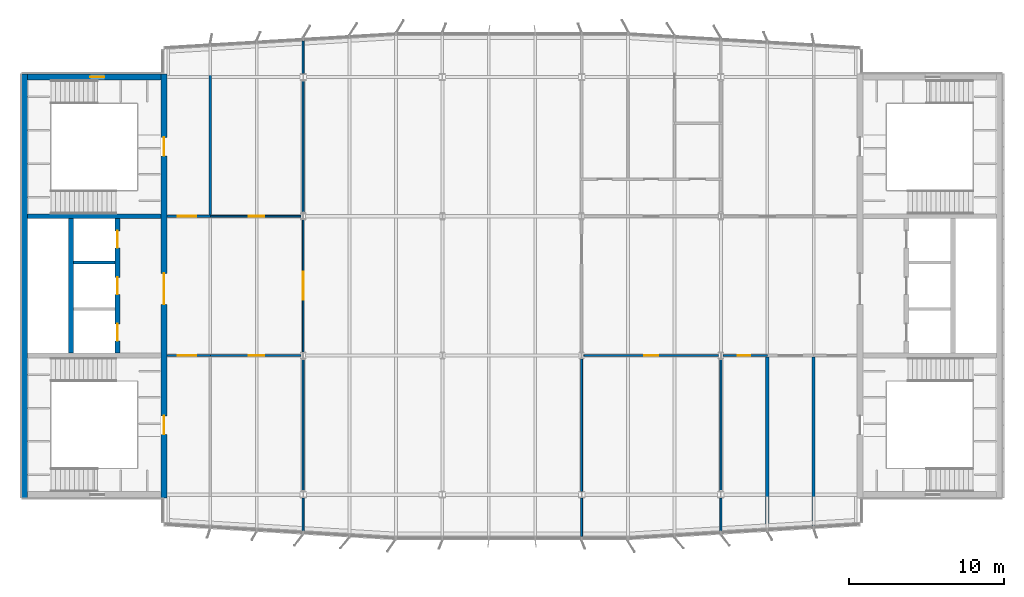
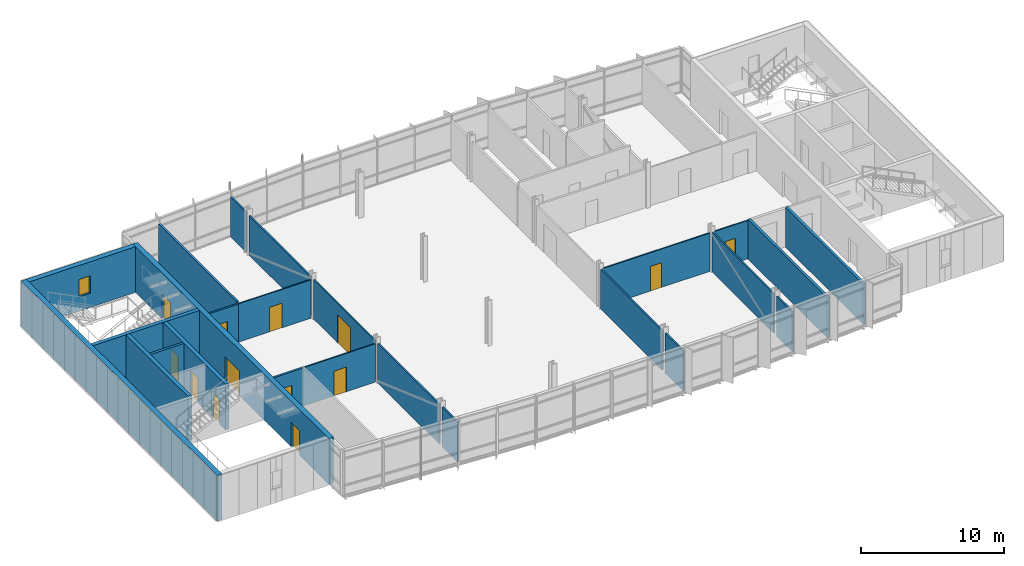
# One storey, part 12 of 18: 25 walls, 13 doors, 1 window, 14 openings.
"""IFC4 building model written with IfcOpenShell, lengths in metres."""

from ifc_helpers import new_model, si_unit, direction, frame, frame_2d, origin, place, context, subcontext, project, spatial, rectangle, extrude, material, layer, layer_set, type_object, element, fill, save


model = new_model("IFC4")

# Units and contexts
model_context = context("Model", 3, precision=1e-05, world=origin(), true_north=direction((0.0, 1.0)))
body_context = subcontext(model_context, "Body", "Model", "MODEL_VIEW")
ifc_project = project(units=[si_unit("LENGTHUNIT", "METRE"), si_unit("AREAUNIT", "SQUARE_METRE"), si_unit("VOLUMEUNIT", "CUBIC_METRE"), si_unit("PLANEANGLEUNIT", "RADIAN"), si_unit("MASSUNIT", "GRAM", prefix="KILO")], contexts=[model_context])

# Site, building, storey
site_placement = place(None, origin())
site = spatial("IfcSite", under=ifc_project, at=site_placement, CompositionType="ELEMENT")
building_placement = place(site_placement, origin())
building = spatial("IfcBuilding", under=site, at=building_placement, Name="Azimuth Sports and Learning Centre", CompositionType="ELEMENT")
storey_placement = place(building_placement, frame((0.0, 0.0, 59.699951171875)))
storey = spatial("IfcBuildingStorey", under=building, at=storey_placement, Name="L13", CompositionType="ELEMENT", Elevation=59.699951171875)

# Wall
ifc_material_1 = material(Name="Dense masonry blockwork", Category="masonry")
ifc_layer_1 = layer(ifc_material_1, 0.199951171875)
ifc_layer_set_1 = layer_set([ifc_layer_1], Name="Dense masonry blockwork")
wall_type_1 = type_object("IfcWallType", Name="Blockwork wall 200 EI 120", PredefinedType="SOLIDWALL", material=ifc_layer_set_1)
wall_1_placement = place(storey_placement, frame((57.14990234375, 105.0, 0.0), z_axis=(0.0, 0.0, 1.0), x_axis=(1.0, 0.0, 0.0)))
element("IfcWall", 1, at=wall_1_placement, inside=storey, type_object=wall_type_1, Name="SD-W-2-L13", PredefinedType="SOLIDWALL", context=body_context, shape_type="SweptSolid", body=[
    extrude(rectangle(XDim=2.7001953125, YDim=0.199951171875, at=frame_2d((1.35009765625, 0.0))), origin(), (0.0, 0.0, 1.0), 3.900146484375),
])

# Wall, opening, door
ifc_material_2 = material(Name="Gypsum board on steel studs", Category="steel")
ifc_layer_2 = layer(ifc_material_2, 0.10009765625)
ifc_layer_set_2 = layer_set([ifc_layer_2], Name="Gypsum board on steel studs")
wall_type_2 = type_object("IfcWallType", Name="Partition 100 EI 30", PredefinedType="PARTITIONING", material=ifc_layer_set_2)
wall_2_placement = place(storey_placement, frame((66.0, 99.0, 0.0), z_axis=(0.0, 0.0, 1.0), x_axis=(1.0, 0.0, 0.0)))
wall_2 = element("IfcWall", 2, at=wall_2_placement, inside=storey, type_object=wall_type_2, Name="Partition Classroom 13.07 / Learning Street West", PredefinedType="PARTITIONING", context=body_context, shape_type="SweptSolid", body=[
    extrude(rectangle(XDim=5.846435546875, YDim=0.10009765625, at=frame_2d((2.92333984375, 0.0))), origin(), (0.0, 0.0, 1.0), 3.27001953125),
])
opening_1_placement = place(wall_2_placement, frame((2.5, 0.0, 0.0)))
opening_1 = element("IfcOpeningElement", 3, at=opening_1_placement, cuts=wall_2, Name="Opening D13-015", PredefinedType="OPENING", context=body_context, shape_type="SweptSolid", body=[
    extrude(rectangle(XDim=1.0, YDim=2.10009765625, at=frame_2d((0.5, 1.050048828125))), frame((0.0, 0.06103515625, 0.0), z_axis=(0.0, -1.0, 0.0), x_axis=(1.0, 0.0, 0.0)), (0.0, 0.0, 1.0), 0.1220703125),
])
ifc_material_3 = material(Name="Painted steel door set", Category="steel")
door_type_1 = type_object("IfcDoorType", Name="Fire door FD30S 1000 x 2100", OperationType="NOTDEFINED", PredefinedType="DOOR", material=ifc_material_3)
door_1_placement = place(opening_1_placement, frame((1.0, 0.0, 0.0), z_axis=(0.0, 0.0, 1.0), x_axis=(-1.0, 0.0, 0.0)))
door_1 = element("IfcDoor", 4, at=door_1_placement, inside=storey, type_object=door_type_1, Name="Door Classroom 13.07 / Learning Street West", OperationType="SINGLE_SWING_LEFT", OverallHeight=2.10009765625, OverallWidth=1.0, PredefinedType="DOOR", context=body_context, shape_type="SweptSolid", body=[
    extrude(rectangle(XDim=1.0, YDim=2.10009765625, at=frame_2d((0.5, 1.050048828125))), frame((0.0, 0.02490234375, 0.0), z_axis=(0.0, -1.0, 0.0), x_axis=(1.0, 0.0, 0.0)), (0.0, 0.0, 1.0), 0.050048828125),
])
fill(opening_1, door_1)

wall_3_placement = place(storey_placement, frame((90.153564453125, 99.0, 0.0), z_axis=(0.0, 0.0, 1.0), x_axis=(1.0, 0.0, 0.0)))
wall_3 = element("IfcWall", 5, at=wall_3_placement, inside=storey, type_object=wall_type_2, Name="Partition Computing Support Room 13.09 / Cleaner Store 13.10", PredefinedType="PARTITIONING", context=body_context, shape_type="SweptSolid", body=[
    extrude(rectangle(XDim=8.69287109375, YDim=0.10009765625, at=frame_2d((4.346435546875, 0.0))), origin(), (0.0, 0.0, 1.0), 3.27001953125),
])
opening_2_placement = place(wall_3_placement, frame((3.896484375, 0.0, 0.0)))
opening_2 = element("IfcOpeningElement", 6, at=opening_2_placement, cuts=wall_3, Name="Opening D13-018", PredefinedType="OPENING", context=body_context, shape_type="SweptSolid", body=[
    extrude(rectangle(XDim=0.89990234375, YDim=2.10009765625, at=frame_2d((0.449951171875, 1.050048828125))), frame((0.0, 0.06103515625, 0.0), z_axis=(0.0, -1.0, 0.0), x_axis=(1.0, 0.0, 0.0)), (0.0, 0.0, 1.0), 0.1220703125),
])
ifc_material_4 = material(Name="Painted steel door set", Category="steel")
door_type_2 = type_object("IfcDoorType", Name="Fire door FD30S 900 x 2100", OperationType="NOTDEFINED", PredefinedType="DOOR", material=ifc_material_4)
door_2_placement = place(opening_2_placement, frame((0.89990234375, 0.0, 0.0), z_axis=(0.0, 0.0, 1.0), x_axis=(-1.0, 0.0, 0.0)))
door_2 = element("IfcDoor", 7, at=door_2_placement, inside=storey, type_object=door_type_2, Name="Door Computing Support Room 13.09 / Learning Street East", OperationType="SINGLE_SWING_RIGHT", OverallHeight=2.10009765625, OverallWidth=0.89990234375, PredefinedType="DOOR", context=body_context, shape_type="SweptSolid", body=[
    extrude(rectangle(XDim=0.89990234375, YDim=2.10009765625, at=frame_2d((0.449951171875, 1.050048828125))), frame((0.0, 0.02490234375, 0.0), z_axis=(0.0, -1.0, 0.0), x_axis=(1.0, 0.0, 0.0)), (0.0, 0.0, 1.0), 0.050048828125),
])
fill(opening_2, door_2)

wall_4_placement = place(storey_placement, frame((99.153564453125, 99.0, 0.0), z_axis=(0.0, 0.0, 1.0), x_axis=(1.0, 0.0, 0.0)))
wall_4 = element("IfcWall", 8, at=wall_4_placement, inside=storey, type_object=wall_type_2, Name="Partition Computing Support Room 13.09 / Cleaner Store 13.10", PredefinedType="PARTITIONING", context=body_context, shape_type="SweptSolid", body=[
    extrude(rectangle(XDim=2.846435546875, YDim=0.10009765625, at=frame_2d((1.42333984375, 0.0))), origin(), (0.0, 0.0, 1.0), 3.27001953125),
])
opening_3_placement = place(wall_4_placement, frame((0.946533203125, 0.0, 0.0)))
opening_3 = element("IfcOpeningElement", 9, at=opening_3_placement, cuts=wall_4, Name="Opening D13-019", PredefinedType="OPENING", context=body_context, shape_type="SweptSolid", body=[
    extrude(rectangle(XDim=0.800048828125, YDim=2.10009765625, at=frame_2d((0.39990234375, 1.050048828125))), frame((0.0, 0.06103515625, 0.0), z_axis=(0.0, -1.0, 0.0), x_axis=(1.0, 0.0, 0.0)), (0.0, 0.0, 1.0), 0.1220703125),
])
ifc_material_5 = material(Name="Painted steel door set", Category="steel")
door_type_3 = type_object("IfcDoorType", Name="Fire door FD30S 800 x 2100", OperationType="NOTDEFINED", PredefinedType="DOOR", material=ifc_material_5)
door_3_placement = place(opening_3_placement, frame((0.800048828125, 0.0, 0.0), z_axis=(0.0, 0.0, 1.0), x_axis=(-1.0, 0.0, 0.0)))
door_3 = element("IfcDoor", 10, at=door_3_placement, inside=storey, type_object=door_type_3, Name="Door Cleaner Store 13.10 / Learning Street East", OperationType="SINGLE_SWING_RIGHT", OverallHeight=2.10009765625, OverallWidth=0.800048828125, PredefinedType="DOOR", context=body_context, shape_type="SweptSolid", body=[
    extrude(rectangle(XDim=0.800048828125, YDim=2.10009765625, at=frame_2d((0.39990234375, 1.050048828125))), frame((0.0, 0.02490234375, 0.0), z_axis=(0.0, -1.0, 0.0), x_axis=(1.0, 0.0, 0.0)), (0.0, 0.0, 1.0), 0.050048828125),
])
fill(opening_3, door_3)

wall_5_placement = place(storey_placement, frame((66.0, 108.0, 0.0), z_axis=(0.0, 0.0, 1.0), x_axis=(1.0, 0.0, 0.0)))
wall_5 = element("IfcWall", 11, at=wall_5_placement, inside=storey, type_object=wall_type_2, Name="Partition Classroom 13.12 / Learning Street West", PredefinedType="PARTITIONING", context=body_context, shape_type="SweptSolid", body=[
    extrude(rectangle(XDim=5.846435546875, YDim=0.10009765625, at=frame_2d((2.92333984375, 0.0))), origin(), (0.0, 0.0, 1.0), 3.27001953125),
])
opening_4_placement = place(wall_5_placement, frame((2.5, 0.0, 0.0)))
opening_4 = element("IfcOpeningElement", 12, at=opening_4_placement, cuts=wall_5, Name="Opening D13-021", PredefinedType="OPENING", context=body_context, shape_type="SweptSolid", body=[
    extrude(rectangle(XDim=1.0, YDim=2.10009765625, at=frame_2d((0.5, 1.050048828125))), frame((0.0, 0.06103515625, 0.0), z_axis=(0.0, -1.0, 0.0), x_axis=(1.0, 0.0, 0.0)), (0.0, 0.0, 1.0), 0.1220703125),
])
door_4_placement = place(opening_4_placement, origin())
door_4 = element("IfcDoor", 13, at=door_4_placement, inside=storey, type_object=door_type_1, Name="Door Classroom 13.12 / Learning Street West", OperationType="SINGLE_SWING_RIGHT", OverallHeight=2.10009765625, OverallWidth=1.0, PredefinedType="DOOR", context=body_context, shape_type="SweptSolid", body=[
    extrude(rectangle(XDim=1.0, YDim=2.10009765625, at=frame_2d((0.5, 1.050048828125))), frame((0.0, 0.02490234375, 0.0), z_axis=(0.0, -1.0, 0.0), x_axis=(1.0, 0.0, 0.0)), (0.0, 0.0, 1.0), 0.050048828125),
])
fill(opening_4, door_4)

wall_6_placement = place(storey_placement, frame((72.0, 99.216064453125, 0.0), z_axis=(0.0, 0.0, 1.0), x_axis=(0.0, 1.0, 0.0)))
wall_6 = element("IfcWall", 14, at=wall_6_placement, inside=storey, type_object=wall_type_2, Name="Partition Computing Studio 13.08 / Learning Street West", PredefinedType="PARTITIONING", context=body_context, shape_type="SweptSolid", body=[
    extrude(rectangle(XDim=8.56787109375, YDim=0.10009765625, at=frame_2d((4.283935546875, 0.0))), origin(), (0.0, 0.0, 1.0), 3.3701171875),
])
opening_5_placement = place(wall_6_placement, frame((3.384033203125, 0.0, 0.0)))
opening_5 = element("IfcOpeningElement", 15, at=opening_5_placement, cuts=wall_6, Name="Opening D13-016", PredefinedType="OPENING", context=body_context, shape_type="SweptSolid", body=[
    extrude(rectangle(XDim=1.800048828125, YDim=2.39990234375, at=frame_2d((0.89990234375, 1.199951171875))), frame((0.0, 0.06103515625, 0.0), z_axis=(0.0, -1.0, 0.0), x_axis=(1.0, 0.0, 0.0)), (0.0, 0.0, 1.0), 0.1220703125),
])
ifc_material_6 = material(Name="Painted steel door set", Category="steel")
door_type_4 = type_object("IfcDoorType", Name="Fire door FD30S 1800 x 2400 double leaf", OperationType="DOUBLE_DOOR_SINGLE_SWING", PredefinedType="DOOR", material=ifc_material_6)
door_5_placement = place(opening_5_placement, frame((1.800048828125, 0.0, 0.0), z_axis=(0.0, 0.0, 1.0), x_axis=(-1.0, 0.0, 0.0)))
door_5 = element("IfcDoor", 16, at=door_5_placement, inside=storey, type_object=door_type_4, Name="Door Computing Studio 13.08 / Learning Street West", OperationType="DOUBLE_DOOR_SINGLE_SWING", OverallHeight=2.39990234375, OverallWidth=1.800048828125, PredefinedType="DOOR", context=body_context, shape_type="SweptSolid", body=[
    extrude(rectangle(XDim=1.800048828125, YDim=2.39990234375, at=frame_2d((0.89990234375, 1.199951171875))), frame((0.0, 0.02490234375, 0.0), z_axis=(0.0, -1.0, 0.0), x_axis=(1.0, 0.0, 0.0)), (0.0, 0.0, 1.0), 0.050048828125),
])
fill(opening_5, door_5)

# Walls
ifc_material_7 = material(Name="Gypsum board on steel studs, acoustic", Category="steel")
ifc_layer_3 = layer(ifc_material_7, 0.125)
ifc_layer_set_3 = layer_set([ifc_layer_3], Name="Gypsum board on steel studs, acoustic")
wall_type_3 = type_object("IfcWallType", Name="Partition 125 EI 60", PredefinedType="PARTITIONING", material=ifc_layer_set_3)
wall_7_placement = place(storey_placement, frame((72.0, 87.659912109375, 0.0), z_axis=(0.0, 0.0, 1.0), x_axis=(0.0, 1.0, 0.0)))
element("IfcWall", 17, at=wall_7_placement, inside=storey, type_object=wall_type_3, Name="Partition Classroom 13.07 / Computing Studio 13.08", PredefinedType="PARTITIONING", context=body_context, shape_type="SweptSolid", body=[
    extrude(rectangle(XDim=2.12255859375, YDim=0.125, at=frame_2d((1.061279296875, 0.0))), origin(), (0.0, 0.0, 1.0), 3.41015625),
])
for number, where, z_axis, x_axis, name in (
    (18, (72.0, 90.217529296875, 0.0), (0.0, 0.0, 1.0), (0.0, 1.0, 0.0), "Partition Classroom 13.07 / Computing Studio 13.08"),
    (19, (72.0, 108.216064453125, 0.0), (0.0, 0.0, 1.0), (0.0, 1.0, 0.0), "Partition Computing Studio 13.08 / Classroom 13.12"),
):
    element("IfcWall", number, at=place(storey_placement, frame(where, z_axis=z_axis, x_axis=x_axis)), inside=storey, type_object=wall_type_3, Name=name, PredefinedType="PARTITIONING", context=body_context, shape_type="SweptSolid", body=[
        extrude(rectangle(XDim=8.56640625, YDim=0.125, at=frame_2d((4.283203125, 0.0))), origin(), (0.0, 0.0, 1.0), 3.3701171875),
    ])
wall_8_placement = place(storey_placement, frame((72.0, 117.217529296875, 0.0), z_axis=(0.0, 0.0, 1.0), x_axis=(0.0, 1.0, 0.0)))
element("IfcWall", 20, at=wall_8_placement, inside=storey, type_object=wall_type_3, Name="Partition Computing Studio 13.08 / Classroom 13.12", PredefinedType="PARTITIONING", context=body_context, shape_type="SweptSolid", body=[
    extrude(rectangle(XDim=2.12255859375, YDim=0.125, at=frame_2d((1.061279296875, 0.0))), origin(), (0.0, 0.0, 1.0), 3.41015625),
])
wall_9_placement = place(storey_placement, frame((90.0, 87.300048828125, 0.0), z_axis=(0.0, 0.0, 1.0), x_axis=(0.0, 1.0, 0.0)))
element("IfcWall", 21, at=wall_9_placement, inside=storey, type_object=wall_type_3, Name="Partition Computing Studio 13.08 / Computing Support Room 13.09", PredefinedType="PARTITIONING", context=body_context, shape_type="SweptSolid", body=[
    extrude(rectangle(XDim=2.482421875, YDim=0.125, at=frame_2d((1.2412109375, 0.0))), origin(), (0.0, 0.0, 1.0), 3.41015625),
])
wall_10_placement = place(storey_placement, frame((90.0, 90.217529296875, 0.0), z_axis=(0.0, 0.0, 1.0), x_axis=(0.0, 1.0, 0.0)))
element("IfcWall", 22, at=wall_10_placement, inside=storey, type_object=wall_type_3, Name="Partition Computing Studio 13.08 / Computing Support Room 13.09", PredefinedType="PARTITIONING", context=body_context, shape_type="SweptSolid", body=[
    extrude(rectangle(XDim=8.56640625, YDim=0.125, at=frame_2d((4.283203125, 0.0))), origin(), (0.0, 0.0, 1.0), 3.3701171875),
])
wall_11_placement = place(storey_placement, frame((99.0, 87.659912109375, 0.0), z_axis=(0.0, 0.0, 1.0), x_axis=(0.0, 1.0, 0.0)))
element("IfcWall", 23, at=wall_11_placement, inside=storey, type_object=wall_type_3, Name="Partition Computing Support Room 13.09 / Cleaner Store 13.10", PredefinedType="PARTITIONING", context=body_context, shape_type="SweptSolid", body=[
    extrude(rectangle(XDim=2.12255859375, YDim=0.125, at=frame_2d((1.061279296875, 0.0))), origin(), (0.0, 0.0, 1.0), 3.41015625),
])
wall_12_placement = place(storey_placement, frame((99.0, 90.217529296875, 0.0), z_axis=(0.0, 0.0, 1.0), x_axis=(0.0, 1.0, 0.0)))
element("IfcWall", 24, at=wall_12_placement, inside=storey, type_object=wall_type_3, Name="Partition Computing Support Room 13.09 / Cleaner Store 13.10", PredefinedType="PARTITIONING", context=body_context, shape_type="SweptSolid", body=[
    extrude(rectangle(XDim=8.56640625, YDim=0.125, at=frame_2d((4.283203125, 0.0))), origin(), (0.0, 0.0, 1.0), 3.3701171875),
])

# Wall, opening, door
ifc_material_8 = material(Name="Lightweight blockwork, rendered", Category="masonry")
ifc_layer_4 = layer(ifc_material_8, 0.14990234375)
ifc_layer_set_4 = layer_set([ifc_layer_4], Name="Lightweight blockwork, rendered")
wall_type_4 = type_object("IfcWallType", Name="Partition 150 EI 60", PredefinedType="PARTITIONING", material=ifc_layer_set_4)
wall_13_placement = place(storey_placement, frame((63.199951171875, 99.0, 0.0), z_axis=(0.0, 0.0, 1.0), x_axis=(1.0, 0.0, 0.0)))
wall_13 = element("IfcWall", 25, at=wall_13_placement, inside=storey, type_object=wall_type_4, Name="Partition Stair Lobby W1 13.01 / Learning Street West", PredefinedType="PARTITIONING", context=body_context, shape_type="SweptSolid", body=[
    extrude(rectangle(XDim=2.800048828125, YDim=0.14990234375, at=frame_2d((1.39990234375, 0.0))), origin(), (0.0, 0.0, 1.0), 3.27001953125),
])
opening_6_placement = place(wall_13_placement, frame((0.699951171875, 0.0, 0.0)))
opening_6 = element("IfcOpeningElement", 26, at=opening_6_placement, cuts=wall_13, Name="Opening D13-011", PredefinedType="OPENING", context=body_context, shape_type="SweptSolid", body=[
    extrude(rectangle(XDim=1.199951171875, YDim=2.10009765625, at=frame_2d((0.60009765625, 1.050048828125))), frame((0.0, 0.0859375, 0.0), z_axis=(0.0, -1.0, 0.0), x_axis=(1.0, 0.0, 0.0)), (0.0, 0.0, 1.0), 0.171875),
])
ifc_material_9 = material(Name="Painted steel door set", Category="steel")
door_type_5 = type_object("IfcDoorType", Name="Fire door FD60 1200 x 2100", OperationType="NOTDEFINED", PredefinedType="DOOR", material=ifc_material_9)
door_6_placement = place(opening_6_placement, frame((1.199951171875, 0.0, 0.0), z_axis=(0.0, 0.0, 1.0), x_axis=(-1.0, 0.0, 0.0)))
door_6 = element("IfcDoor", 27, at=door_6_placement, inside=storey, type_object=door_type_5, Name="Door Stair Lobby W1 13.01 / Learning Street West", OperationType="SINGLE_SWING_RIGHT", OverallHeight=2.10009765625, OverallWidth=1.199951171875, PredefinedType="DOOR", context=body_context, shape_type="SweptSolid", body=[
    extrude(rectangle(XDim=1.199951171875, YDim=2.10009765625, at=frame_2d((0.60009765625, 1.050048828125))), frame((0.0, 0.02490234375, 0.0), z_axis=(0.0, -1.0, 0.0), x_axis=(1.0, 0.0, 0.0)), (0.0, 0.0, 1.0), 0.050048828125),
])
fill(opening_6, door_6)

wall_14_placement = place(storey_placement, frame((63.199951171875, 108.0, 0.0), z_axis=(0.0, 0.0, 1.0), x_axis=(1.0, 0.0, 0.0)))
wall_14 = element("IfcWall", 28, at=wall_14_placement, inside=storey, type_object=wall_type_4, Name="Partition Stair Lobby W2 13.02 / Learning Street West", PredefinedType="PARTITIONING", context=body_context, shape_type="SweptSolid", body=[
    extrude(rectangle(XDim=2.800048828125, YDim=0.14990234375, at=frame_2d((1.39990234375, 0.0))), origin(), (0.0, 0.0, 1.0), 3.27001953125),
])
opening_7_placement = place(wall_14_placement, frame((0.699951171875, 0.0, 0.0)))
opening_7 = element("IfcOpeningElement", 29, at=opening_7_placement, cuts=wall_14, Name="Opening D13-012", PredefinedType="OPENING", context=body_context, shape_type="SweptSolid", body=[
    extrude(rectangle(XDim=1.199951171875, YDim=2.10009765625, at=frame_2d((0.60009765625, 1.050048828125))), frame((0.0, 0.0859375, 0.0), z_axis=(0.0, -1.0, 0.0), x_axis=(1.0, 0.0, 0.0)), (0.0, 0.0, 1.0), 0.171875),
])
door_7_placement = place(opening_7_placement, origin())
door_7 = element("IfcDoor", 30, at=door_7_placement, inside=storey, type_object=door_type_5, Name="Door Stair Lobby W2 13.02 / Learning Street West", OperationType="SINGLE_SWING_LEFT", OverallHeight=2.10009765625, OverallWidth=1.199951171875, PredefinedType="DOOR", context=body_context, shape_type="SweptSolid", body=[
    extrude(rectangle(XDim=1.199951171875, YDim=2.10009765625, at=frame_2d((0.60009765625, 1.050048828125))), frame((0.0, 0.02490234375, 0.0), z_axis=(0.0, -1.0, 0.0), x_axis=(1.0, 0.0, 0.0)), (0.0, 0.0, 1.0), 0.050048828125),
])
fill(opening_7, door_7)

# Walls
wall_15_placement = place(storey_placement, frame((66.0, 108.074951171875, 0.0), z_axis=(0.0, 0.0, 1.0), x_axis=(0.0, 1.0, 0.0)))
element("IfcWall", 31, at=wall_15_placement, inside=storey, type_object=wall_type_4, Name="Partition Stair Lobby W2 13.02 / Classroom 13.12", PredefinedType="PARTITIONING", context=body_context, shape_type="SweptSolid", body=[
    extrude(rectangle(XDim=10.905029296875, YDim=0.14990234375, at=frame_2d((5.45263671875, 0.0))), origin(), (0.0, 0.0, 1.0), 3.41015625),
])
ifc_material_10 = material(Name="Lightweight blockwork, rendered", Category="masonry")
ifc_layer_5 = layer(ifc_material_10, 0.199951171875)
ifc_layer_set_5 = layer_set([ifc_layer_5], Name="Lightweight blockwork, rendered")
wall_type_5 = type_object("IfcWallType", Name="Partition 200 EI 120", PredefinedType="PARTITIONING", material=ifc_layer_set_5)
wall_16_placement = place(storey_placement, frame((102.0, 87.840087890625, 0.0), z_axis=(0.0, 0.0, 1.0), x_axis=(0.0, 1.0, 0.0)))
element("IfcWall", 32, at=wall_16_placement, inside=storey, type_object=wall_type_5, Name="Partition Cleaner Store 13.10 / Server Room 13.11", PredefinedType="PARTITIONING", context=body_context, shape_type="SweptSolid", body=[
    extrude(rectangle(XDim=11.059814453125, YDim=0.199951171875, at=frame_2d((5.52978515625, 0.0))), origin(), (0.0, 0.0, 1.0), 3.41015625),
])
wall_17_placement = place(storey_placement, frame((105.0, 88.02001953125, 0.0), z_axis=(0.0, 0.0, 1.0), x_axis=(0.0, 1.0, 0.0)))
element("IfcWall", 33, at=wall_17_placement, inside=storey, type_object=wall_type_5, Name="Partition Stair Lobby E1 13.03 / Server Room 13.11", PredefinedType="PARTITIONING", context=body_context, shape_type="SweptSolid", body=[
    extrude(rectangle(XDim=10.8798828125, YDim=0.199951171875, at=frame_2d((5.43994140625, 0.0))), origin(), (0.0, 0.0, 1.0), 3.41015625),
])
ifc_material_11 = material(Name="Concrete C40/50", Category="concrete")
ifc_layer_6 = layer(ifc_material_11, 0.300048828125)
ifc_layer_set_6 = layer_set([ifc_layer_6], Name="Concrete C40/50")
wall_type_6 = type_object("IfcWallType", Name="RC core wall 300", PredefinedType="SHEAR", material=ifc_layer_set_6)
wall_18_placement = place(storey_placement, frame((54.199951171875, 108.0, 0.0), z_axis=(0.0, 0.0, 1.0), x_axis=(1.0, 0.0, 0.0)))
element("IfcWall", 34, at=wall_18_placement, inside=storey, type_object=wall_type_6, Name="Core wall W D2 L13", PredefinedType="SHEAR", context=body_context, shape_type="SweptSolid", body=[
    extrude(rectangle(XDim=8.60009765625, YDim=0.300048828125, at=frame_2d((4.300048828125, 0.0))), origin(), (0.0, 0.0, 1.0), 3.900146484375),
])
wall_19_placement = place(storey_placement, frame((57.0, 99.14990234375, 0.0), z_axis=(0.0, 0.0, 1.0), x_axis=(0.0, 1.0, 0.0)))
element("IfcWall", 35, at=wall_19_placement, inside=storey, type_object=wall_type_6, Name="Core wall W LB1 L13", PredefinedType="SHEAR", context=body_context, shape_type="SweptSolid", body=[
    extrude(rectangle(XDim=8.7001953125, YDim=0.300048828125, at=frame_2d((4.35009765625, 0.0))), origin(), (0.0, 0.0, 1.0), 3.900146484375),
])

# Wall, openings, doors
wall_20_placement = place(storey_placement, frame((60.0, 99.14990234375, 0.0), z_axis=(0.0, 0.0, 1.0), x_axis=(0.0, 1.0, 0.0)))
wall_20 = element("IfcWall", 36, at=wall_20_placement, inside=storey, type_object=wall_type_6, Name="Core wall W LB2 L13", PredefinedType="SHEAR", context=body_context, shape_type="SweptSolid", body=[
    extrude(rectangle(XDim=8.7001953125, YDim=0.300048828125, at=frame_2d((4.35009765625, 0.0))), origin(), (0.0, 0.0, 1.0), 3.900146484375),
])
opening_8_placement = place(wall_20_placement, frame((0.800048828125, 0.0, 0.0)))
opening_8 = element("IfcOpeningElement", 37, at=opening_8_placement, cuts=wall_20, Name="Opening D13-005", PredefinedType="OPENING", context=body_context, shape_type="SweptSolid", body=[
    extrude(rectangle(XDim=1.10009765625, YDim=2.10009765625, at=frame_2d((0.550048828125, 1.050048828125))), frame((0.0, 0.1611328125, 0.0), z_axis=(0.0, -1.0, 0.0), x_axis=(1.0, 0.0, 0.0)), (0.0, 0.0, 1.0), 0.322021484375),
])
opening_9_placement = place(wall_20_placement, frame((3.800048828125, 0.0, 0.0)))
opening_9 = element("IfcOpeningElement", 38, at=opening_9_placement, cuts=wall_20, Name="Opening D13-006", PredefinedType="OPENING", context=body_context, shape_type="SweptSolid", body=[
    extrude(rectangle(XDim=1.10009765625, YDim=2.10009765625, at=frame_2d((0.550048828125, 1.050048828125))), frame((0.0, 0.1611328125, 0.0), z_axis=(0.0, -1.0, 0.0), x_axis=(1.0, 0.0, 0.0)), (0.0, 0.0, 1.0), 0.322021484375),
])
opening_10_placement = place(wall_20_placement, frame((6.800048828125, 0.0, 0.0)))
opening_10 = element("IfcOpeningElement", 39, at=opening_10_placement, cuts=wall_20, Name="Opening D13-007", PredefinedType="OPENING", context=body_context, shape_type="SweptSolid", body=[
    extrude(rectangle(XDim=1.10009765625, YDim=2.10009765625, at=frame_2d((0.550048828125, 1.050048828125))), frame((0.0, 0.1611328125, 0.0), z_axis=(0.0, -1.0, 0.0), x_axis=(1.0, 0.0, 0.0)), (0.0, 0.0, 1.0), 0.322021484375),
])
ifc_material_12 = material(Name="Stainless steel", Category="steel")
door_type_6 = type_object("IfcDoorType", Name="Lift landing door 1100 x 2100", OperationType="DOUBLE_DOOR_SLIDING", PredefinedType="DOOR", material=ifc_material_12)
door_8_placement = place(opening_8_placement, origin())
door_8 = element("IfcDoor", 40, at=door_8_placement, inside=storey, type_object=door_type_6, Name="Landing door LW1 L13", OperationType="DOUBLE_DOOR_SLIDING", OverallHeight=2.10009765625, OverallWidth=1.10009765625, PredefinedType="DOOR", context=body_context, shape_type="SweptSolid", body=[
    extrude(rectangle(XDim=1.10009765625, YDim=2.10009765625, at=frame_2d((0.550048828125, 1.050048828125))), frame((0.0, 0.02490234375, 0.0), z_axis=(0.0, -1.0, 0.0), x_axis=(1.0, 0.0, 0.0)), (0.0, 0.0, 1.0), 0.050048828125),
])
fill(opening_8, door_8)
door_9_placement = place(opening_9_placement, origin())
door_9 = element("IfcDoor", 41, at=door_9_placement, inside=storey, type_object=door_type_6, Name="Landing door LW2 L13", OperationType="DOUBLE_DOOR_SLIDING", OverallHeight=2.10009765625, OverallWidth=1.10009765625, PredefinedType="DOOR", context=body_context, shape_type="SweptSolid", body=[
    extrude(rectangle(XDim=1.10009765625, YDim=2.10009765625, at=frame_2d((0.550048828125, 1.050048828125))), frame((0.0, 0.02490234375, 0.0), z_axis=(0.0, -1.0, 0.0), x_axis=(1.0, 0.0, 0.0)), (0.0, 0.0, 1.0), 0.050048828125),
])
fill(opening_9, door_9)
door_10_placement = place(opening_10_placement, origin())
door_10 = element("IfcDoor", 42, at=door_10_placement, inside=storey, type_object=door_type_6, Name="Landing door LW3 L13", OperationType="DOUBLE_DOOR_SLIDING", OverallHeight=2.10009765625, OverallWidth=1.10009765625, PredefinedType="DOOR", context=body_context, shape_type="SweptSolid", body=[
    extrude(rectangle(XDim=1.10009765625, YDim=2.10009765625, at=frame_2d((0.550048828125, 1.050048828125))), frame((0.0, 0.02490234375, 0.0), z_axis=(0.0, -1.0, 0.0), x_axis=(1.0, 0.0, 0.0)), (0.0, 0.0, 1.0), 0.050048828125),
])
fill(opening_10, door_10)

ifc_material_13 = material(Name="Concrete C40/50", Category="concrete")
ifc_layer_7 = layer(ifc_material_13, 0.39990234375)
ifc_layer_set_7 = layer_set([ifc_layer_7], Name="Concrete C40/50")
wall_type_7 = type_object("IfcWallType", Name="RC core wall 400", PredefinedType="SHEAR", material=ifc_layer_set_7)
wall_21_placement = place(storey_placement, frame((63.0, 89.800048828125, 0.0), z_axis=(0.0, 0.0, 1.0), x_axis=(0.0, 1.0, 0.0)))
wall_21 = element("IfcWall", 43, at=wall_21_placement, inside=storey, type_object=wall_type_7, Name="Core wall W E L13", PredefinedType="SHEAR", context=body_context, shape_type="SweptSolid", body=[
    extrude(rectangle(XDim=27.39990234375, YDim=0.39990234375, at=frame_2d((13.699951171875, 0.0))), origin(), (0.0, 0.0, 1.0), 3.900146484375),
])
opening_11_placement = place(wall_21_placement, frame((4.10009765625, 0.0, 0.0)))
opening_11 = element("IfcOpeningElement", 44, at=opening_11_placement, cuts=wall_21, Name="Opening D13-001", PredefinedType="OPENING", context=body_context, shape_type="SweptSolid", body=[
    extrude(rectangle(XDim=1.199951171875, YDim=2.10009765625, at=frame_2d((0.60009765625, 1.050048828125))), frame((0.0, 0.2109375, 0.0), z_axis=(0.0, -1.0, 0.0), x_axis=(1.0, 0.0, 0.0)), (0.0, 0.0, 1.0), 0.421875),
])
opening_12_placement = place(wall_21_placement, frame((22.10009765625, 0.0, 0.0)))
opening_12 = element("IfcOpeningElement", 45, at=opening_12_placement, cuts=wall_21, Name="Opening D13-002", PredefinedType="OPENING", context=body_context, shape_type="SweptSolid", body=[
    extrude(rectangle(XDim=1.199951171875, YDim=2.10009765625, at=frame_2d((0.60009765625, 1.050048828125))), frame((0.0, 0.2109375, 0.0), z_axis=(0.0, -1.0, 0.0), x_axis=(1.0, 0.0, 0.0)), (0.0, 0.0, 1.0), 0.421875),
])
opening_13_placement = place(wall_21_placement, frame((12.5, 0.0, 0.0)))
opening_13 = element("IfcOpeningElement", 46, at=opening_13_placement, cuts=wall_21, Name="Opening D13-028", PredefinedType="OPENING", context=body_context, shape_type="SweptSolid", body=[
    extrude(rectangle(XDim=2.0, YDim=2.10009765625, at=frame_2d((1.0, 1.050048828125))), frame((0.0, 0.2109375, 0.0), z_axis=(0.0, -1.0, 0.0), x_axis=(1.0, 0.0, 0.0)), (0.0, 0.0, 1.0), 0.421875),
])
ifc_material_14 = material(Name="Painted steel door set", Category="steel")
door_type_7 = type_object("IfcDoorType", Name="Fire door FD120 2000 x 2100 double leaf", OperationType="DOUBLE_DOOR_SINGLE_SWING", PredefinedType="DOOR", material=ifc_material_14)
door_11_placement = place(opening_13_placement, origin())
door_11 = element("IfcDoor", 47, at=door_11_placement, inside=storey, type_object=door_type_7, Name="Door Lift Lobby W 13.05 / Learning Street West", OperationType="DOUBLE_DOOR_SINGLE_SWING", OverallHeight=2.10009765625, OverallWidth=2.0, PredefinedType="DOOR", context=body_context, shape_type="SweptSolid", body=[
    extrude(rectangle(XDim=2.0, YDim=2.10009765625, at=frame_2d((1.0, 1.050048828125))), frame((0.0, 0.02490234375, 0.0), z_axis=(0.0, -1.0, 0.0), x_axis=(1.0, 0.0, 0.0)), (0.0, 0.0, 1.0), 0.050048828125),
])
fill(opening_13, door_11)
ifc_material_15 = material(Name="Steel", Category="steel")
door_type_8 = type_object("IfcDoorType", Name="Stair fire door 1200 x 2100", OperationType="NOTDEFINED", PredefinedType="DOOR", material=ifc_material_15)
door_12_placement = place(opening_11_placement, origin())
door_12 = element("IfcDoor", 48, at=door_12_placement, inside=storey, type_object=door_type_8, Name="Stair door W1 L13", OperationType="SINGLE_SWING_LEFT", OverallHeight=2.10009765625, OverallWidth=1.199951171875, PredefinedType="DOOR", context=body_context, shape_type="SweptSolid", body=[
    extrude(rectangle(XDim=1.199951171875, YDim=2.10009765625, at=frame_2d((0.60009765625, 1.050048828125))), frame((0.0, 0.02490234375, 0.0), z_axis=(0.0, -1.0, 0.0), x_axis=(1.0, 0.0, 0.0)), (0.0, 0.0, 1.0), 0.050048828125),
])
fill(opening_11, door_12)
door_13_placement = place(opening_12_placement, origin())
door_13 = element("IfcDoor", 49, at=door_13_placement, inside=storey, type_object=door_type_8, Name="Stair door W2 L13", OperationType="SINGLE_SWING_LEFT", OverallHeight=2.10009765625, OverallWidth=1.199951171875, PredefinedType="DOOR", context=body_context, shape_type="SweptSolid", body=[
    extrude(rectangle(XDim=1.199951171875, YDim=2.10009765625, at=frame_2d((0.60009765625, 1.050048828125))), frame((0.0, 0.02490234375, 0.0), z_axis=(0.0, -1.0, 0.0), x_axis=(1.0, 0.0, 0.0)), (0.0, 0.0, 1.0), 0.050048828125),
])
fill(opening_12, door_13)

# Wall, opening, window
ifc_material_16 = material(Name="Concrete C40/50", Category="concrete")
ifc_layer_8 = layer(ifc_material_16, 0.39990234375)
ifc_layer_set_8 = layer_set([ifc_layer_8], Name="Concrete C40/50")
wall_type_8 = type_object("IfcWallType", Name="RC external core wall 400", PredefinedType="SHEAR", material=ifc_layer_set_8)
wall_22_placement = place(storey_placement, frame((54.199951171875, 117.0, 0.0), z_axis=(0.0, 0.0, 1.0), x_axis=(1.0, 0.0, 0.0)))
wall_22 = element("IfcWall", 50, at=wall_22_placement, inside=storey, type_object=wall_type_8, Name="Core wall W N L13", PredefinedType="SHEAR", context=body_context, shape_type="SweptSolid", body=[
    extrude(rectangle(XDim=8.60009765625, YDim=0.39990234375, at=frame_2d((4.300048828125, 0.0))), origin(), (0.0, 0.0, 1.0), 3.900146484375),
])
opening_14_placement = place(wall_22_placement, frame((4.050048828125, 0.0, 1.199951171875)))
opening_14 = element("IfcOpeningElement", 51, at=opening_14_placement, cuts=wall_22, Name="Opening W13-004", PredefinedType="OPENING", context=body_context, shape_type="SweptSolid", body=[
    extrude(rectangle(XDim=0.89990234375, YDim=1.5, at=frame_2d((0.449951171875, 0.75))), frame((0.0, 0.2109375, 0.0), z_axis=(0.0, -1.0, 0.0), x_axis=(1.0, 0.0, 0.0)), (0.0, 0.0, 1.0), 0.421875),
])
ifc_material_17 = material(Name="Aluminium and glass", Category="aluminium")
window_type = type_object("IfcWindowType", Name="Stair window tower core 900x1500", PartitioningType="SINGLE_PANEL", PredefinedType="WINDOW", material=ifc_material_17)
window_placement = place(opening_14_placement, origin())
window = element("IfcWindow", 52, at=window_placement, inside=storey, type_object=window_type, Name="Window W13-004", OverallHeight=1.5, OverallWidth=0.89990234375, PartitioningType="SINGLE_PANEL", PredefinedType="WINDOW", context=body_context, shape_type="SweptSolid", body=[
    extrude(rectangle(XDim=0.89990234375, YDim=1.5, at=frame_2d((0.449951171875, 0.75))), frame((0.0, 0.030029296875, 0.0), z_axis=(0.0, -1.0, 0.0), x_axis=(1.0, 0.0, 0.0)), (0.0, 0.0, 1.0), 0.06005859375),
])
fill(opening_14, window)

# Wall
wall_23_placement = place(storey_placement, frame((54.0, 89.800048828125, 0.0), z_axis=(0.0, 0.0, 1.0), x_axis=(0.0, 1.0, 0.0)))
element("IfcWall", 53, at=wall_23_placement, inside=storey, type_object=wall_type_8, Name="Core wall W W L13", PredefinedType="SHEAR", context=body_context, shape_type="SweptSolid", body=[
    extrude(rectangle(XDim=27.39990234375, YDim=0.39990234375, at=frame_2d((13.699951171875, 0.0))), origin(), (0.0, 0.0, 1.0), 3.900146484375),
])

save(model, "model.ifc")
